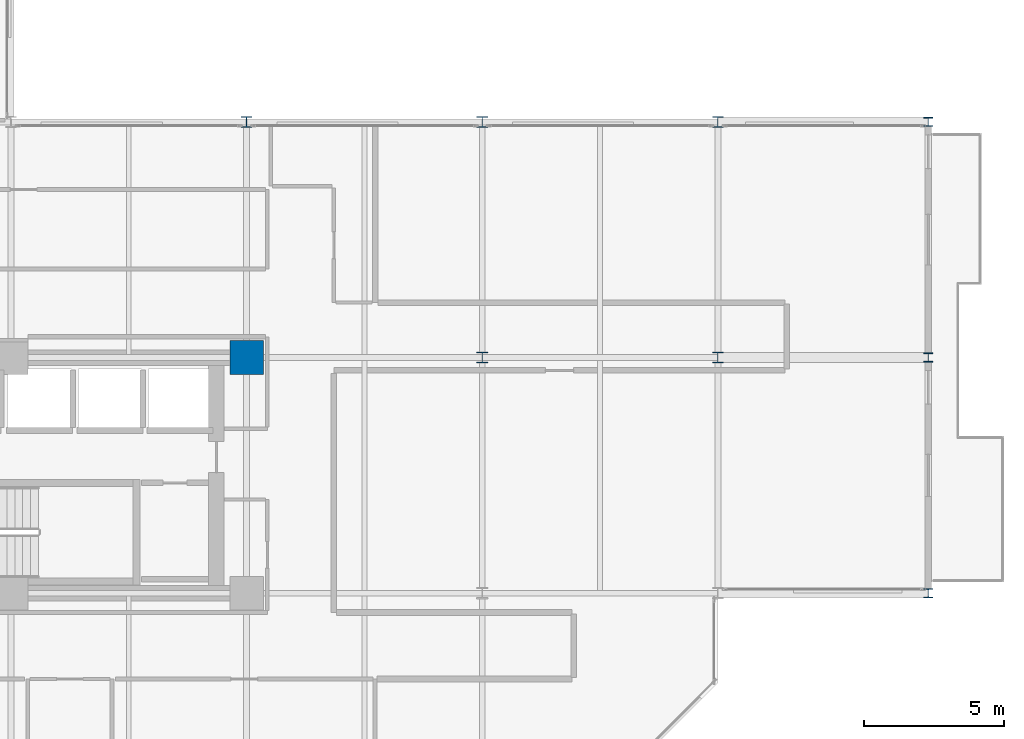
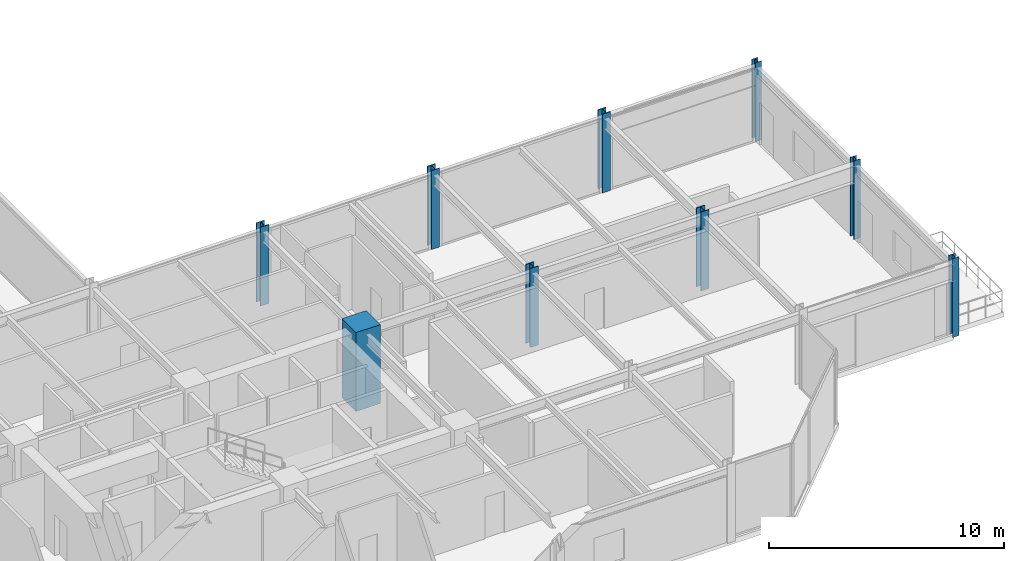
# One storey, part 2 of 38: 9 columns.
"""IFC4 building model written with IfcOpenShell, lengths in metres."""

from ifc_helpers import new_model, si_unit, direction, frame, origin, origin_2d, place, context, subcontext, project, spatial, rectangle, i_section, extrude, material, material_profile, profile_set, type_object, element, save


model = new_model("IFC4")

# Units and contexts
model_context = context("Model", 3, precision=1e-05, world=origin(), true_north=direction((0.0, 1.0)))
body_context = subcontext(model_context, "Body", "Model", "MODEL_VIEW")
ifc_project = project(units=[si_unit("LENGTHUNIT", "METRE"), si_unit("AREAUNIT", "SQUARE_METRE"), si_unit("VOLUMEUNIT", "CUBIC_METRE"), si_unit("PLANEANGLEUNIT", "RADIAN"), si_unit("MASSUNIT", "GRAM", prefix="KILO")], contexts=[model_context])

# Site, building, storey
site_placement = place(None, origin())
site = spatial("IfcSite", under=ifc_project, at=site_placement, CompositionType="ELEMENT")
building_placement = place(site_placement, origin())
building = spatial("IfcBuilding", under=site, at=building_placement, Name="Nerrivon Quay Data Exchange", CompositionType="ELEMENT")
storey_placement = place(building_placement, frame((0.0, 0.0, 84.39990234375)))
storey = spatial("IfcBuildingStorey", under=building, at=storey_placement, Name="L19", CompositionType="ELEMENT", Elevation=84.39990234375)

# Columns
ifc_material_1 = material(Name="Concrete S65 (65 MPa)", Category="concrete")
ifc_material_profile_1 = material_profile(ifc_material_1, rectangle(XDim=1.199951171875, YDim=1.199951171875, at=origin_2d()), Name="RC-COL-1200x1200")
ifc_profile_set_1 = profile_set([ifc_material_profile_1], Name="Concrete S65 (65 MPa)")
column_type_1 = type_object("IfcColumnType", Name="COL-C3-1200", PredefinedType="COLUMN", material=ifc_profile_set_1)
column_placement = place(storey_placement, frame((33.60009765625, 16.800048828125, 0.0), z_axis=(0.0, 0.0, 1.0), x_axis=(1.0, 0.0, 0.0)))
element("IfcColumn", 1, at=column_placement, inside=storey, type_object=column_type_1, Name="L19 Column (33.6,16.8)", PredefinedType="COLUMN", context=body_context, shape_type="SweptSolid", body=[
    extrude(rectangle(XDim=1.199951171875, YDim=1.199951171875, at=origin_2d()), origin(), (0.0, 0.0, 1.0), 4.10009765625),
])
ifc_material_2 = material(Name="Steel Grade 350", Category="steel")
ifc_material_profile_2 = material_profile(ifc_material_2, i_section(OverallWidth=0.39990234375, OverallDepth=0.39990234375, WebThickness=0.02490234375, FlangeThickness=0.0400390625, at=origin_2d()), Name="400WC328")
ifc_profile_set_2 = profile_set([ifc_material_profile_2], Name="Steel Grade 350")
column_type_2 = type_object("IfcColumnType", Name="COL-SC2-400WC", PredefinedType="COLUMN", material=ifc_profile_set_2)
for number, where, z_axis, x_axis, name in (
    (2, (33.60009765625, 25.199951171875, 0.0), (0.0, 0.0, 1.0), (1.0, 0.0, 0.0), "L19 Column (33.6,25.2)"),
    (3, (42.0, 16.800048828125, 0.0), (0.0, 0.0, 1.0), (1.0, 0.0, 0.0), "L19 Column (42.0,16.8)"),
    (4, (42.0, 25.199951171875, 0.0), (0.0, 0.0, 1.0), (1.0, 0.0, 0.0), "L19 Column (42.0,25.2)"),
    (5, (50.39990234375, 16.800048828125, 0.0), (0.0, 0.0, 1.0), (1.0, 0.0, 0.0), "L19 Column (50.4,16.8)"),
    (6, (50.39990234375, 25.199951171875, 0.0), (0.0, 0.0, 1.0), (1.0, 0.0, 0.0), "L19 Column (50.4,25.2)"),
):
    element("IfcColumn", number, at=place(storey_placement, frame(where, z_axis=z_axis, x_axis=x_axis)), inside=storey, type_object=column_type_2, Name=name, PredefinedType="COLUMN", context=body_context, shape_type="SweptSolid", body=[
        extrude(i_section(OverallWidth=0.39990234375, OverallDepth=0.39990234375, WebThickness=0.02490234375, FlangeThickness=0.0400390625, at=origin_2d()), origin(), (0.0, 0.0, 1.0), 4.10009765625),
    ])
ifc_material_profile_3 = material_profile(ifc_material_2, i_section(OverallWidth=0.31103515625, OverallDepth=0.326904296875, WebThickness=0.015625, FlangeThickness=0.02490234375, FilletRadius=0.0166015625, at=origin_2d()), Name="310UC158")
ifc_profile_set_3 = profile_set([ifc_material_profile_3], Name="Steel Grade 350")
column_type_3 = type_object("IfcColumnType", Name="COL-SC4-310UC158", PredefinedType="COLUMN", material=ifc_profile_set_3)
for number, where, z_axis, x_axis, name in (
    (7, (57.89990234375, 8.39990234375, 0.0), (0.0, 0.0, 1.0), (1.0, 0.0, 0.0), "L19 East Hooked Post (57.9,8.4)"),
    (8, (57.89990234375, 16.800048828125, 0.0), (0.0, 0.0, 1.0), (1.0, 0.0, 0.0), "L19 East Hooked Post (57.9,16.8)"),
    (9, (57.89990234375, 25.199951171875, 0.0), (0.0, 0.0, 1.0), (1.0, 0.0, 0.0), "L19 East Hooked Post (57.9,25.2)"),
):
    element("IfcColumn", number, at=place(storey_placement, frame(where, z_axis=z_axis, x_axis=x_axis)), inside=storey, type_object=column_type_3, Name=name, PredefinedType="COLUMN", context=body_context, shape_type="SweptSolid", body=[
        extrude(i_section(OverallWidth=0.31103515625, OverallDepth=0.326904296875, WebThickness=0.015625, FlangeThickness=0.02490234375, FilletRadius=0.0166015625, at=origin_2d()), origin(), (0.0, 0.0, 1.0), 4.10009765625),
    ])

save(model, "model.ifc")
